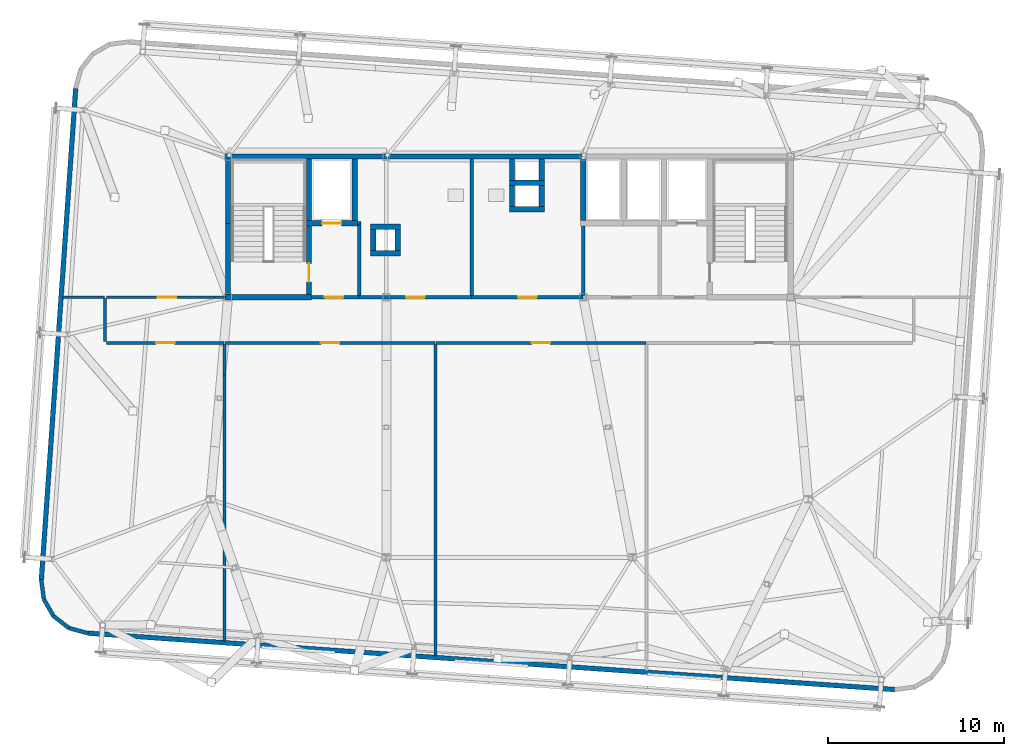
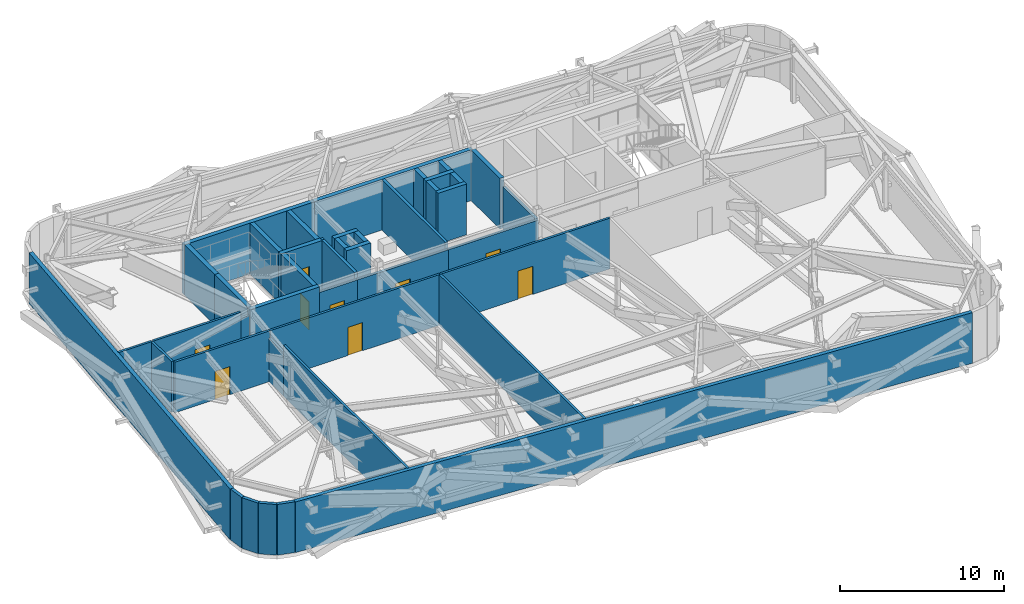
# One storey, part 21 of 24: 43 walls, 9 doors, 9 openings.
"""IFC4 building model written with IfcOpenShell, lengths in metres."""

import ifcopenshell
import ifcopenshell.guid

model = None  # the IFC model being written
_history = None  # IfcOwnerHistory: only IFC2X3 demands one
_inside = {}  # id of a spatial element -> (the spatial element, [elements in it])
_under = {}  # id of a project, library or spatial element -> (it, [spatial elements below it])
_declared = {}  # id of a project -> (the project, [libraries it declares])
_typed = {}  # id of a type object -> (the type object, [elements of that type])
_made_of = {}  # id of a material, layer set ... -> (it, [elements and type objects made of it])


def new_model(schema):
    """Start an empty IFC model of exactly this schema.

    Asked for "IFC4X3", IfcOpenShell would pick the latest addendum, in which some entities
    have other attributes; the version numbers below select the first issue.
    IFC2X3 requires an IfcOwnerHistory on every rooted entity: one is made here for all.
    """
    global model, _history
    if schema == "IFC4X3":
        model = ifcopenshell.file(schema_version=(4, 3, 0, 0))
    else:
        model = ifcopenshell.file(schema=schema)
    _inside.clear()
    _under.clear()
    _declared.clear()
    _typed.clear()
    _made_of.clear()
    _history = None
    if model.schema == "IFC2X3":
        org = make("IfcOrganization", Name="unknown")
        user = make(
            "IfcPersonAndOrganization",
            ThePerson=make("IfcPerson", FamilyName="unknown"),
            TheOrganization=org,
        )
        app = make(
            "IfcApplication",
            ApplicationDeveloper=org,
            Version="unknown",
            ApplicationFullName="unknown",
            ApplicationIdentifier="unknown",
        )
        _history = make(
            "IfcOwnerHistory",
            OwningUser=user,
            OwningApplication=app,
            ChangeAction="ADDED",
            CreationDate=0,
        )
    return model


def make(cls, **values):
    """One entity of the class cls with the attributes given. An attribute that is None is left unset."""
    return model.create_entity(
        cls, **{name: value for name, value in values.items() if value is not None}
    )


def rooted(cls, **values):
    """An entity with a GlobalId (a new one), such as an element, a storey or a relation."""
    return make(cls, GlobalId=ifcopenshell.guid.new(), OwnerHistory=_history, **values)


def si_unit(unit_type, name, prefix=None):
    """IfcSIUnit, for example si_unit("LENGTHUNIT", "METRE", prefix="MILLI")."""
    return make("IfcSIUnit", UnitType=unit_type, Prefix=prefix, Name=name)


def assignment(units):
    """IfcUnitAssignment: the units of a project."""
    return None if units is None else make("IfcUnitAssignment", Units=units)


def point(xyz):
    """IfcCartesianPoint."""
    return None if xyz is None else make("IfcCartesianPoint", Coordinates=xyz)


def direction(xyz):
    """IfcDirection."""
    return None if xyz is None else make("IfcDirection", DirectionRatios=xyz)


def frame(location, z_axis=None, x_axis=None):
    """IfcAxis2Placement3D, a coordinate frame: its origin and axes. An axis left out is left unset."""
    return make(
        "IfcAxis2Placement3D",
        Location=point(location),
        Axis=direction(z_axis),
        RefDirection=direction(x_axis),
    )


def frame_2d(location, x_axis=None):
    """IfcAxis2Placement2D, a coordinate frame in the plane: its origin and x axis."""
    return make(
        "IfcAxis2Placement2D", Location=point(location), RefDirection=direction(x_axis)
    )


def origin():
    """The frame at (0, 0, 0) with its axes left unset."""
    return frame((0.0, 0.0, 0.0))


def place(relative_to, where):
    """IfcLocalPlacement: puts the frame where relative to a parent placement (None: the world)."""
    return make(
        "IfcLocalPlacement", PlacementRelTo=relative_to, RelativePlacement=where
    )


def context(
    kind, dimensions, precision=None, world=None, true_north=None, identifier=None
):
    """IfcGeometricRepresentationContext, for example the 3D "Model" context."""
    return make(
        "IfcGeometricRepresentationContext",
        ContextIdentifier=identifier,
        ContextType=kind,
        CoordinateSpaceDimension=dimensions,
        Precision=precision,
        WorldCoordinateSystem=world,
        TrueNorth=true_north,
    )


def subcontext(parent, identifier, kind, view, scale=None):
    """IfcGeometricRepresentationSubContext, for example "Body" below "Model"."""
    return make(
        "IfcGeometricRepresentationSubContext",
        ContextIdentifier=identifier,
        ContextType=kind,
        ParentContext=parent,
        TargetScale=scale,
        TargetView=view,
    )


def project(units=None, contexts=None):
    """IfcProject with its units and contexts."""
    return rooted(
        "IfcProject",
        Name="project",
        RepresentationContexts=contexts,
        UnitsInContext=assignment(units),
    )


def spatial(cls, under=None, at=None, **own):
    """A site, building, storey or space (cls), placed at a placement, below another one or the project."""
    s = rooted(cls, ObjectPlacement=at, **own)
    if under is not None:
        _under.setdefault(under.id(), (under, []))[1].append(s)
    return s


def profile(cls, at=None, kind="AREA", **sizes):
    """A parametric profile (cls). Its sizes go by their IFC names, for example OverallWidth=200.0."""
    return make(cls, ProfileType=kind, Position=at, **sizes)


def rectangle(**sizes):
    """IfcRectangleProfileDef."""
    return profile("IfcRectangleProfileDef", **sizes)


def extrude(swept, where, along, depth):
    """IfcExtrudedAreaSolid: the profile swept, set in the frame where, extruded along a direction by depth."""
    return make(
        "IfcExtrudedAreaSolid",
        SweptArea=swept,
        Position=where,
        ExtrudedDirection=direction(along),
        Depth=depth,
    )


def shape(context_of_items, identifier, shape_type, items):
    """IfcShapeRepresentation: the items that make up one representation, for example the "Body"."""
    return make(
        "IfcShapeRepresentation",
        ContextOfItems=context_of_items,
        RepresentationIdentifier=identifier,
        RepresentationType=shape_type,
        Items=items,
    )


def source(mapping_origin, context_of_items, identifier, shape_type, items):
    """IfcRepresentationMap: a shape defined once, which mapped items show again and again."""
    return make(
        "IfcRepresentationMap",
        MappingOrigin=mapping_origin,
        MappedRepresentation=shape(context_of_items, identifier, shape_type, items),
    )


def transform(
    local_origin,
    x_axis=None,
    y_axis=None,
    z_axis=None,
    scale=None,
    scale2=None,
    scale3=None,
    uniform=True,
):
    """IfcCartesianTransformationOperator3D, or its non-uniform kind. x_axis, y_axis, z_axis: its Axis1, 2, 3."""
    if uniform:
        return make(
            "IfcCartesianTransformationOperator3D",
            Axis1=direction(x_axis),
            Axis2=direction(y_axis),
            LocalOrigin=point(local_origin),
            Scale=scale,
            Axis3=direction(z_axis),
        )
    return make(
        "IfcCartesianTransformationOperator3DnonUniform",
        Axis1=direction(x_axis),
        Axis2=direction(y_axis),
        LocalOrigin=point(local_origin),
        Scale=scale,
        Axis3=direction(z_axis),
        Scale2=scale2,
        Scale3=scale3,
    )


def mapped(mapping_source, mapping_target):
    """IfcMappedItem: shows the shape of a source again, moved by a transform."""
    return make(
        "IfcMappedItem", MappingSource=mapping_source, MappingTarget=mapping_target
    )


def material(Name=None, Category=None):
    """IfcMaterial."""
    return make("IfcMaterial", Name=Name, Category=Category)


def layer(
    of_material, thickness, ventilated=None, Name=None, Category=None, Priority=None
):
    """IfcMaterialLayer: one layer of a wall or slab, of a material (None: an air gap)."""
    return make(
        "IfcMaterialLayer",
        Material=of_material,
        LayerThickness=thickness,
        IsVentilated=ventilated,
        Name=Name,
        Category=Category,
        Priority=Priority,
    )


def layer_set(layers, Name=None):
    """IfcMaterialLayerSet."""
    return make("IfcMaterialLayerSet", MaterialLayers=layers, LayerSetName=Name)


def made_of(thing, what):
    """Note that an element or type object is made of a material, layer set ...; save() writes the relation."""
    if what is not None:
        _made_of.setdefault(what.id(), (what, []))[1].append(thing)
    return thing


def type_object(cls, material=None, **own):
    """A type object (cls), such as IfcWallType, which elements share."""
    return made_of(rooted(cls, **own), material)


def element(
    cls,
    number,
    at=None,
    inside=None,
    cuts=None,
    type_object=None,
    material=None,
    context=None,
    identifier="Body",
    shape_type=None,
    held_by="IfcProductDefinitionShape",
    body=None,
    shapes=None,
    **own,
):
    """One element of the class cls, such as IfcWall. Its Tag is "e" and its number.

    at: its placement. inside: the storey or other place that contains it. cuts: it is an
    opening in that element (IfcRelVoidsElement). A single representation is given by context,
    identifier, shape_type and body (its items); several are given by shapes. held_by: the class
    of the entity that holds the representations. save() writes the other relations.
    """
    e = rooted(cls, Tag="e%d" % number, ObjectPlacement=at, **own)
    if body is not None:
        shapes = [shape(context, identifier, shape_type, body)]
    if shapes is not None:
        e.Representation = make(held_by, Representations=shapes)
    if inside is not None:
        _inside.setdefault(inside.id(), (inside, []))[1].append(e)
    if cuts is not None:
        rooted(
            "IfcRelVoidsElement", RelatingBuildingElement=cuts, RelatedOpeningElement=e
        )
    if type_object is not None:
        _typed.setdefault(type_object.id(), (type_object, []))[1].append(e)
    return made_of(e, material)


def fill(opening, filler):
    """IfcRelFillsElement: the door or window that sits in an opening."""
    return rooted(
        "IfcRelFillsElement",
        RelatingOpeningElement=opening,
        RelatedBuildingElement=filler,
    )


def aggregate(whole, parts):
    """IfcRelAggregates: a whole, such as a stair, and the parts it consists of."""
    return rooted("IfcRelAggregates", RelatingObject=whole, RelatedObjects=parts)


def save(model, path):
    """Write the relations noted so far, then the file.

    IfcRelAggregates (storeys below a building ...), IfcRelContainedInSpatialStructure (elements
    in a storey), IfcRelDefinesByType, IfcRelAssociatesMaterial and IfcRelDeclares: one each for
    every whole, place, type object, material and project.
    """
    for whole, parts in _under.values():
        aggregate(whole, parts)
    for where, things in _inside.values():
        rooted(
            "IfcRelContainedInSpatialStructure",
            RelatedElements=things,
            RelatingStructure=where,
        )
    for kind, things in _typed.values():
        rooted("IfcRelDefinesByType", RelatedObjects=things, RelatingType=kind)
    for what, things in _made_of.values():
        rooted("IfcRelAssociatesMaterial", RelatedObjects=things, RelatingMaterial=what)
    for by, libraries in _declared.values():
        rooted("IfcRelDeclares", RelatingContext=by, RelatedDefinitions=libraries)
    model.write(path)


model = new_model("IFC4")

# Units and contexts
model_context = context("Model", 3, precision=1e-05, world=origin(), true_north=direction((0.0, 1.0)))
body_context = subcontext(model_context, "Body", "Model", "MODEL_VIEW")
ifc_project = project(units=[si_unit("LENGTHUNIT", "METRE"), si_unit("AREAUNIT", "SQUARE_METRE"), si_unit("VOLUMEUNIT", "CUBIC_METRE"), si_unit("PLANEANGLEUNIT", "RADIAN"), si_unit("MASSUNIT", "GRAM", prefix="KILO")], contexts=[model_context])

# Site, building, storey
site_placement = place(None, origin())
site = spatial("IfcSite", under=ifc_project, at=site_placement, CompositionType="ELEMENT")
building_placement = place(site_placement, origin())
building = spatial("IfcBuilding", under=site, at=building_placement, Name="Taldren Reach Tower", CompositionType="ELEMENT")
storey_placement = place(building_placement, frame((0.0, 0.0, 164.5)))
storey = spatial("IfcBuildingStorey", under=building, at=storey_placement, Name="L50", CompositionType="ELEMENT", Elevation=164.5)

# Walls
ifc_material_1 = material(Name="Pale Champagne Anodised Aluminium Cladding", Category="aluminium")
ifc_layer_1 = layer(ifc_material_1, 0.04, Name="Pale Champagne Anodised Aluminium Cladding", Category="aluminium")
ifc_material_2 = material(Name="Mineral Wool Acoustic Insulation", Category="insulation")
ifc_layer_2 = layer(ifc_material_2, 0.06, Name="Mineral Wool Acoustic Insulation", Category="insulation")
ifc_material_3 = material(Name="Steel Gr 350 (C350L0)", Category="steel")
ifc_layer_3 = layer(ifc_material_3, 0.12, Name="Steel Gr 350 (C350L0)", Category="steel")
ifc_layer_set_1 = layer_set([ifc_layer_1, ifc_layer_2, ifc_layer_3], Name="Pale Champagne Aluminium Cladding and Steel Gr 350 Stud Framing")
wall_type_1 = type_object("IfcWallType", Name="EW-CRN-220", PredefinedType="SOLIDWALL", material=ifc_layer_set_1)
shared_shape_1 = source(origin(), body_context, "Body", "SweptSolid", [
    extrude(rectangle(XDim=1.115966796875, YDim=0.219970703125, at=frame_2d((0.55810546875, 0.0))), origin(), (0.0, 0.0, 1.0), 3.780029296875),
])
for number, where, z_axis, x_axis, name in (
    (1, (8.37646484375, 7.93798828125, 0.0), (0.0, 0.0, 1.0), (0.126242535829, -0.991999406324, 0.0), "Rounded-corner pale-metal facade wall L50-SW1"),
    (2, (8.517333984375, 6.8310546875, 0.0), (0.0, 0.0, 1.0), (0.496138938357, -0.868243142124, 0.0), "Rounded-corner pale-metal facade wall L50-SW2"),
    (3, (9.071044921875, 5.862060546875, 0.0), (0.0, 0.0, 1.0), (0.790716874741, -0.612182018684, 0.0), "Rounded-corner pale-metal facade wall L50-SW3"),
    (4, (9.953369140625, 5.178955078125, 0.0), (0.0, 0.0, 1.0), (0.964804199372, -0.262969307856, 0.0), "Rounded-corner pale-metal facade wall L50-SW4"),
):
    element("IfcWall", number, at=place(storey_placement, frame(where, z_axis=z_axis, x_axis=x_axis)), inside=storey, type_object=wall_type_1, Name=name, PredefinedType="SOLIDWALL", context=body_context, shape_type="MappedRepresentation", body=[
        mapped(shared_shape_1, transform((0.0, 0.0, 0.0), scale=1.0)),
    ])
ifc_material_4 = material(Name="Perforated Anodised Aluminium Acoustic Liner", Category="aluminium")
ifc_layer_4 = layer(ifc_material_4, 0.04, Name="Perforated Anodised Aluminium Acoustic Liner", Category="aluminium")
ifc_layer_5 = layer(ifc_material_2, 0.08, Name="Mineral Wool Acoustic Insulation", Category="insulation")
ifc_layer_6 = layer(ifc_material_3, 0.15, Name="Steel Gr 350 (C350L0)", Category="steel")
ifc_layer_set_2 = layer_set([ifc_layer_4, ifc_layer_5, ifc_layer_6], Name="Perforated Anodised Aluminium Liner and Steel Gr 350 Stud Framing")
wall_type_2 = type_object("IfcWallType", Name="EW-PLT-270", PredefinedType="SOLIDWALL", material=ifc_layer_set_2)
shared_shape_2 = source(origin(), body_context, "Body", "SweptSolid", [
    extrude(rectangle(XDim=46.0, YDim=0.27001953125, at=frame_2d((23.0, 0.0))), origin(), (0.0, 0.0, 1.0), 3.780029296875),
])
wall_1_placement = place(storey_placement, frame((11.030029296875, 4.885498046875, 0.0), z_axis=(0.0, 0.0, 1.0), x_axis=(0.997564136604, -0.06975523895, 0.0)))
element("IfcWall", 5, at=wall_1_placement, inside=storey, type_object=wall_type_2, Name="Plant floor perimeter enclosure wall L50-S", PredefinedType="SOLIDWALL", context=body_context, shape_type="MappedRepresentation", body=[
    mapped(shared_shape_2, transform((0.0, 0.0, 0.0), scale=1.0)),
])
shared_shape_3 = source(origin(), body_context, "Body", "SweptSolid", [
    extrude(rectangle(XDim=28.0, YDim=0.27001953125, at=frame_2d((14.0, 0.0))), origin(), (0.0, 0.0, 1.0), 3.780029296875),
])
wall_2_placement = place(storey_placement, frame((10.32958984375, 35.869873046875, 0.0), z_axis=(0.0, 0.0, 1.0), x_axis=(-0.069754247024, -0.997564205965, 0.0)))
element("IfcWall", 6, at=wall_2_placement, inside=storey, type_object=wall_type_2, Name="Plant floor perimeter enclosure wall L50-W", PredefinedType="SOLIDWALL", context=body_context, shape_type="MappedRepresentation", body=[
    mapped(shared_shape_3, transform((0.0, 0.0, 0.0), scale=1.0)),
])

# Wall, opening, door
ifc_material_5 = material(Name="Concrete S50 (50 MPa)", Category="concrete")
ifc_layer_7 = layer(ifc_material_5, 0.199951171875)
ifc_layer_set_3 = layer_set([ifc_layer_7], Name="Concrete S50 (50 MPa)")
wall_type_3 = type_object("IfcWallType", Name="IW-CORE-200", PredefinedType="SOLIDWALL", material=ifc_layer_set_3)
shared_shape_4 = source(origin(), body_context, "Body", "SweptSolid", [
    extrude(rectangle(XDim=6.400146484375, YDim=0.199951171875, at=frame_2d((3.2001953125, 0.0))), origin(), (0.0, 0.0, 1.0), 3.320068359375),
])
wall_3_placement = place(storey_placement, frame((32.85009765625, 24.0, 0.0), z_axis=(0.0, 0.0, 1.0), x_axis=(-1.0, 0.0, 0.0)))
wall_3 = element("IfcWall", 7, at=wall_3_placement, inside=storey, type_object=wall_type_3, Name="Rear Core Shear Wall W-INT-L50-026", PredefinedType="SOLIDWALL", context=body_context, shape_type="MappedRepresentation", body=[
    mapped(shared_shape_4, transform((0.0, 0.0, 0.0), scale=1.0)),
])
shared_shape_5 = source(origin(), body_context, "Body", "SweptSolid", [
    extrude(rectangle(XDim=1.050048828125, YDim=2.10009765625, at=frame_2d((0.52490234375, 1.050048828125))), frame((0.0, 0.10986328125, 0.0), z_axis=(0.0, -1.0, 0.0), x_axis=(1.0, 0.0, 0.0)), (0.0, 0.0, 1.0), 0.219970703125),
])
opening_1_placement = place(wall_3_placement, frame((2.675048828125, 0.0, 0.0)))
opening_1 = element("IfcOpeningElement", 8, at=opening_1_placement, cuts=wall_3, Name="Opening DF-105", PredefinedType="OPENING", context=body_context, shape_type="MappedRepresentation", body=[
    mapped(shared_shape_5, transform((0.0, 0.0, 0.0), scale=1.0)),
])
ifc_material_6 = material(Name="Fire-Rated Care and Stair Exit Door")
door_type_1 = type_object("IfcDoorType", Name="ID-FIRE-105", OperationType="NOTDEFINED", PredefinedType="DOOR", material=ifc_material_6)
shared_shape_6 = source(origin(), body_context, "Body", "SweptSolid", [
    extrude(rectangle(XDim=1.050048828125, YDim=2.10009765625, at=frame_2d((0.52490234375, 1.050048828125))), frame((0.0, 0.02490234375, 0.0), z_axis=(0.0, -1.0, 0.0), x_axis=(1.0, 0.0, 0.0)), (0.0, 0.0, 1.0), 0.050048828125),
])
door_1_placement = place(opening_1_placement, frame((1.050048828125, 0.0, 0.0), z_axis=(0.0, 0.0, 1.0), x_axis=(-1.0, 0.0, 0.0)))
door_1 = element("IfcDoor", 9, at=door_1_placement, inside=storey, type_object=door_type_1, Name="Interior Door DR-L50-005", OperationType="SINGLE_SWING_LEFT", OverallHeight=2.10009765625, OverallWidth=1.050048828125, PredefinedType="DOOR", context=body_context, shape_type="MappedRepresentation", body=[
    mapped(shared_shape_6, transform((0.0, 0.0, 0.0), scale=1.0)),
])
fill(opening_1, door_1)

# Wall
ifc_material_7 = material(Name="Fire-Rated Acoustic Plasterboard Stud Wall", Category="gypsum")
ifc_layer_8 = layer(ifc_material_7, 0.159912109375)
ifc_layer_set_4 = layer_set([ifc_layer_8], Name="Fire-Rated Acoustic Plasterboard Stud Wall")
wall_type_4 = type_object("IfcWallType", Name="IW-FIRE-160", PredefinedType="PARTITIONING", material=ifc_layer_set_4)
shared_shape_7 = source(origin(), body_context, "Body", "SweptSolid", [
    extrude(rectangle(XDim=2.43994140625, YDim=0.159912109375, at=frame_2d((1.219970703125, 0.0))), origin(), (0.0, 0.0, 1.0), 3.780029296875),
])
wall_4_placement = place(storey_placement, frame((12.0, 21.47998046875, 0.0), z_axis=(0.0, 0.0, 1.0), x_axis=(0.0, 1.0, 0.0)))
element("IfcWall", 10, at=wall_4_placement, inside=storey, type_object=wall_type_4, Name="Interior Partition Wall W-INT-L50-037", PredefinedType="PARTITIONING", context=body_context, shape_type="MappedRepresentation", body=[
    mapped(shared_shape_7, transform((0.0, 0.0, 0.0), scale=1.0)),
])

# Wall, opening, door
shared_shape_8 = source(origin(), body_context, "Body", "SweptSolid", [
    extrude(rectangle(XDim=11.95947265625, YDim=0.159912109375, at=frame_2d((5.979736328125, 0.0))), origin(), (0.0, 0.0, 1.0), 3.780029296875),
])
wall_5_placement = place(storey_placement, frame((30.77978515625, 21.39990234375, 0.0), z_axis=(0.0, 0.0, 1.0), x_axis=(-1.0, 0.0, 0.0)))
wall_5 = element("IfcWall", 11, at=wall_5_placement, inside=storey, type_object=wall_type_4, Name="Interior Partition Wall W-INT-L50-038", PredefinedType="PARTITIONING", context=body_context, shape_type="MappedRepresentation", body=[
    mapped(shared_shape_8, transform((0.0, 0.0, 0.0), scale=1.0)),
])
shared_shape_9 = source(origin(), body_context, "Body", "SweptSolid", [
    extrude(rectangle(XDim=1.050048828125, YDim=2.10009765625, at=frame_2d((0.52490234375, 1.050048828125))), frame((0.0, 0.08984375, 0.0), z_axis=(0.0, -1.0, 0.0), x_axis=(1.0, 0.0, 0.0)), (0.0, 0.0, 1.0), 0.179931640625),
])
opening_2_placement = place(wall_5_placement, frame((5.454833984375, 0.0, 0.0)))
opening_2 = element("IfcOpeningElement", 12, at=opening_2_placement, cuts=wall_5, Name="Opening DF-105", PredefinedType="OPENING", context=body_context, shape_type="MappedRepresentation", body=[
    mapped(shared_shape_9, transform((0.0, 0.0, 0.0), scale=1.0)),
])
door_2_placement = place(opening_2_placement, origin())
door_2 = element("IfcDoor", 13, at=door_2_placement, inside=storey, type_object=door_type_1, Name="Interior Door DR-L50-011", OperationType="SINGLE_SWING_RIGHT", OverallHeight=2.10009765625, OverallWidth=1.050048828125, PredefinedType="DOOR", context=body_context, shape_type="MappedRepresentation", body=[
    mapped(shared_shape_6, transform((0.0, 0.0, 0.0), scale=1.0)),
])
fill(opening_2, door_2)

wall_6_placement = place(storey_placement, frame((42.77978515625, 21.39990234375, 0.0), z_axis=(0.0, 0.0, 1.0), x_axis=(-1.0, 0.0, 0.0)))
wall_6 = element("IfcWall", 14, at=wall_6_placement, inside=storey, type_object=wall_type_4, Name="Interior Partition Wall W-INT-L50-039", PredefinedType="PARTITIONING", context=body_context, shape_type="MappedRepresentation", body=[
    mapped(shared_shape_8, transform((0.0, 0.0, 0.0), scale=1.0)),
])
opening_3_placement = place(wall_6_placement, frame((5.454833984375, 0.0, 0.0)))
opening_3 = element("IfcOpeningElement", 15, at=opening_3_placement, cuts=wall_6, Name="Opening DF-105", PredefinedType="OPENING", context=body_context, shape_type="MappedRepresentation", body=[
    mapped(shared_shape_9, transform((0.0, 0.0, 0.0), scale=1.0)),
])
door_3_placement = place(opening_3_placement, origin())
door_3 = element("IfcDoor", 16, at=door_3_placement, inside=storey, type_object=door_type_1, Name="Interior Door DR-L50-012", OperationType="SINGLE_SWING_LEFT", OverallHeight=2.10009765625, OverallWidth=1.050048828125, PredefinedType="DOOR", context=body_context, shape_type="MappedRepresentation", body=[
    mapped(shared_shape_6, transform((0.0, 0.0, 0.0), scale=1.0)),
])
fill(opening_3, door_3)

# Walls
ifc_material_8 = material(Name="Concrete S65 (65 MPa)", Category="concrete")
ifc_layer_9 = layer(ifc_material_8, 0.300048828125)
ifc_layer_set_5 = layer_set([ifc_layer_9], Name="Concrete S65 (65 MPa)")
wall_type_5 = type_object("IfcWallType", Name="IW-CORE-300", PredefinedType="SHEAR", material=ifc_layer_set_5)
shared_shape_10 = source(origin(), body_context, "Body", "SweptSolid", [
    extrude(rectangle(XDim=9.14990234375, YDim=0.300048828125, at=frame_2d((4.574951171875, 0.0))), origin(), (0.0, 0.0, 1.0), 3.780029296875),
])
wall_7_placement = place(storey_placement, frame((18.85009765625, 32.0, 0.0), z_axis=(0.0, 0.0, 1.0), x_axis=(1.0, 0.0, 0.0)))
element("IfcWall", 17, at=wall_7_placement, inside=storey, type_object=wall_type_5, Name="Rear Core Shear Wall W-CORE-L50-NORTH1", PredefinedType="SHEAR", context=body_context, shape_type="MappedRepresentation", body=[
    mapped(shared_shape_10, transform((0.0, 0.0, 0.0), scale=1.0)),
])
shared_shape_11 = source(origin(), body_context, "Body", "SweptSolid", [
    extrude(rectangle(XDim=11.199951171875, YDim=0.300048828125, at=frame_2d((5.60009765625, 0.0))), origin(), (0.0, 0.0, 1.0), 3.780029296875),
])
wall_8_placement = place(storey_placement, frame((28.0, 32.0, 0.0), z_axis=(0.0, 0.0, 1.0), x_axis=(1.0, 0.0, 0.0)))
element("IfcWall", 18, at=wall_8_placement, inside=storey, type_object=wall_type_5, Name="Rear Core Shear Wall W-CORE-L50-NORTH2", PredefinedType="SHEAR", context=body_context, shape_type="MappedRepresentation", body=[
    mapped(shared_shape_11, transform((0.0, 0.0, 0.0), scale=1.0)),
])
shared_shape_12 = source(origin(), body_context, "Body", "SweptSolid", [
    extrude(rectangle(XDim=4.050048828125, YDim=0.300048828125, at=frame_2d((2.02490234375, 0.0))), origin(), (0.0, 0.0, 1.0), 3.780029296875),
])
wall_9_placement = place(storey_placement, frame((19.0, 24.14990234375, 0.0), z_axis=(0.0, 0.0, 1.0), x_axis=(0.0, 1.0, 0.0)))
element("IfcWall", 19, at=wall_9_placement, inside=storey, type_object=wall_type_5, Name="Rear Core Shear Wall W-CORE-L50-WEST1", PredefinedType="SHEAR", context=body_context, shape_type="MappedRepresentation", body=[
    mapped(shared_shape_12, transform((0.0, 0.0, 0.0), scale=1.0)),
])
shared_shape_13 = source(origin(), body_context, "Body", "SweptSolid", [
    extrude(rectangle(XDim=3.650146484375, YDim=0.300048828125, at=frame_2d((1.8251953125, 0.0))), origin(), (0.0, 0.0, 1.0), 3.780029296875),
])
wall_10_placement = place(storey_placement, frame((19.0, 28.199951171875, 0.0), z_axis=(0.0, 0.0, 1.0), x_axis=(0.0, 1.0, 0.0)))
element("IfcWall", 20, at=wall_10_placement, inside=storey, type_object=wall_type_5, Name="Rear Core Shear Wall W-CORE-L50-WEST2", PredefinedType="SHEAR", context=body_context, shape_type="MappedRepresentation", body=[
    mapped(shared_shape_13, transform((0.0, 0.0, 0.0), scale=1.0)),
])
shared_shape_14 = source(origin(), body_context, "Body", "SweptSolid", [
    extrude(rectangle(XDim=3.5, YDim=0.300048828125, at=frame_2d((1.75, 0.0))), origin(), (0.0, 0.0, 1.0), 3.780029296875),
])
for number, where, z_axis, x_axis, name in (
    (21, (23.60009765625, 28.35009765625, 0.0), (0.0, 0.0, 1.0), (0.0, 1.0, 0.0), "Rear Core Shear Wall W-INT-L50-001"),
    (22, (26.199951171875, 28.35009765625, 0.0), (0.0, 0.0, 1.0), (0.0, 1.0, 0.0), "Rear Core Shear Wall W-INT-L50-005"),
    (23, (39.199951171875, 31.85009765625, 0.0), (0.0, 0.0, 1.0), (0.0, -1.0, 0.0), "Rear Core Shear Wall W-INT-L50-027"),
):
    element("IfcWall", number, at=place(storey_placement, frame(where, z_axis=z_axis, x_axis=x_axis)), inside=storey, type_object=wall_type_5, Name=name, PredefinedType="SHEAR", context=body_context, shape_type="MappedRepresentation", body=[
        mapped(shared_shape_14, transform((0.0, 0.0, 0.0), scale=1.0)),
    ])

# Wall, opening, door
shared_shape_15 = source(origin(), body_context, "Body", "SweptSolid", [
    extrude(rectangle(XDim=3.900146484375, YDim=0.300048828125, at=frame_2d((1.9501953125, 0.0))), origin(), (0.0, 0.0, 1.0), 3.780029296875),
])
wall_11_placement = place(storey_placement, frame((23.60009765625, 24.14990234375, 0.0), z_axis=(0.0, 0.0, 1.0), x_axis=(0.0, 1.0, 0.0)))
wall_11 = element("IfcWall", 24, at=wall_11_placement, inside=storey, type_object=wall_type_5, Name="Rear Core Shear Wall W-INT-L50-002", PredefinedType="SHEAR", context=body_context, shape_type="MappedRepresentation", body=[
    mapped(shared_shape_15, transform((0.0, 0.0, 0.0), scale=1.0)),
])
shared_shape_16 = source(origin(), body_context, "Body", "SweptSolid", [
    extrude(rectangle(XDim=1.050048828125, YDim=2.10009765625, at=frame_2d((0.52490234375, 1.050048828125))), frame((0.0, 0.16015625, 0.0), z_axis=(0.0, -1.0, 0.0), x_axis=(1.0, 0.0, 0.0)), (0.0, 0.0, 1.0), 0.320068359375),
])
opening_4_placement = place(wall_11_placement, frame((0.72509765625, 0.0, 0.0)))
opening_4 = element("IfcOpeningElement", 25, at=opening_4_placement, cuts=wall_11, Name="Opening DF-105", PredefinedType="OPENING", context=body_context, shape_type="MappedRepresentation", body=[
    mapped(shared_shape_16, transform((0.0, 0.0, 0.0), scale=1.0)),
])
door_4_placement = place(opening_4_placement, origin())
door_4 = element("IfcDoor", 26, at=door_4_placement, inside=storey, type_object=door_type_1, Name="Fire Exit Stair Door DR-L50-001", OperationType="SINGLE_SWING_LEFT", OverallHeight=2.10009765625, OverallWidth=1.050048828125, PredefinedType="DOOR", context=body_context, shape_type="MappedRepresentation", body=[
    mapped(shared_shape_6, transform((0.0, 0.0, 0.0), scale=1.0)),
])
fill(opening_4, door_4)

# Wall
shared_shape_17 = source(origin(), body_context, "Body", "SweptSolid", [
    extrude(rectangle(XDim=4.89990234375, YDim=0.300048828125, at=frame_2d((2.449951171875, 0.0))), origin(), (0.0, 0.0, 1.0), 3.780029296875),
])
wall_12_placement = place(storey_placement, frame((18.85009765625, 24.0, 0.0), z_axis=(0.0, 0.0, 1.0), x_axis=(1.0, 0.0, 0.0)))
element("IfcWall", 27, at=wall_12_placement, inside=storey, type_object=wall_type_5, Name="Rear Core Shear Wall W-INT-L50-003", PredefinedType="SHEAR", context=body_context, shape_type="MappedRepresentation", body=[
    mapped(shared_shape_17, transform((0.0, 0.0, 0.0), scale=1.0)),
])

# Wall, opening, door
shared_shape_18 = source(origin(), body_context, "Body", "SweptSolid", [
    extrude(rectangle(XDim=2.900146484375, YDim=0.300048828125, at=frame_2d((1.4501953125, 0.0))), origin(), (0.0, 0.0, 1.0), 3.780029296875),
])
wall_13_placement = place(storey_placement, frame((23.449951171875, 28.199951171875, 0.0), z_axis=(0.0, 0.0, 1.0), x_axis=(1.0, 0.0, 0.0)))
wall_13 = element("IfcWall", 28, at=wall_13_placement, inside=storey, type_object=wall_type_5, Name="Rear Core Shear Wall W-INT-L50-004", PredefinedType="SHEAR", context=body_context, shape_type="MappedRepresentation", body=[
    mapped(shared_shape_18, transform((0.0, 0.0, 0.0), scale=1.0)),
])
shared_shape_19 = source(origin(), body_context, "Body", "SweptSolid", [
    extrude(rectangle(XDim=1.10009765625, YDim=2.14990234375, at=frame_2d((0.550048828125, 1.074951171875))), frame((0.0, 0.16015625, 0.0), z_axis=(0.0, -1.0, 0.0), x_axis=(1.0, 0.0, 0.0)), (0.0, 0.0, 1.0), 0.320068359375),
])
opening_5_placement = place(wall_13_placement, frame((0.89990234375, 0.0, 0.0)))
opening_5 = element("IfcOpeningElement", 29, at=opening_5_placement, cuts=wall_13, Name="Opening LD-FL1", PredefinedType="OPENING", context=body_context, shape_type="MappedRepresentation", body=[
    mapped(shared_shape_19, transform((0.0, 0.0, 0.0), scale=1.0)),
])
ifc_material_9 = material(Name="Stainless Steel Gr 316 Emergency Lift Landing Door", Category="steel")
door_type_2 = type_object("IfcDoorType", Name="LD-EMG-110", OperationType="SLIDING_TO_LEFT", PredefinedType="DOOR", material=ifc_material_9)
shared_shape_20 = source(origin(), body_context, "Body", "SweptSolid", [
    extrude(rectangle(XDim=1.10009765625, YDim=2.14990234375, at=frame_2d((0.550048828125, 1.074951171875))), frame((0.0, 0.02490234375, 0.0), z_axis=(0.0, -1.0, 0.0), x_axis=(1.0, 0.0, 0.0)), (0.0, 0.0, 1.0), 0.050048828125),
])
door_5_placement = place(opening_5_placement, origin())
door_5 = element("IfcDoor", 30, at=door_5_placement, inside=storey, type_object=door_type_2, Name="Lift Landing Door LD-FL1-L50", OperationType="SLIDING_TO_LEFT", OverallHeight=2.14990234375, OverallWidth=1.10009765625, PredefinedType="DOOR", context=body_context, shape_type="MappedRepresentation", body=[
    mapped(shared_shape_20, transform((0.0, 0.0, 0.0), scale=1.0)),
])
fill(opening_5, door_5)

# Wall
shared_shape_21 = source(origin(), body_context, "Body", "SweptSolid", [
    extrude(rectangle(XDim=4.0, YDim=0.199951171875, at=frame_2d((2.0, 0.0))), origin(), (0.0, 0.0, 1.0), 3.780029296875),
])
wall_14_placement = place(storey_placement, frame((26.449951171875, 24.10009765625, 0.0), z_axis=(0.0, 0.0, 1.0), x_axis=(0.0, 1.0, 0.0)))
element("IfcWall", 31, at=wall_14_placement, inside=storey, type_object=wall_type_3, Name="Rear Core Shear Wall W-INT-L50-006", PredefinedType="SOLIDWALL", context=body_context, shape_type="MappedRepresentation", body=[
    mapped(shared_shape_21, transform((0.0, 0.0, 0.0), scale=1.0)),
])

# Wall, opening, door
shared_shape_22 = source(origin(), body_context, "Body", "SweptSolid", [
    extrude(rectangle(XDim=2.699951171875, YDim=0.199951171875, at=frame_2d((1.35009765625, 0.0))), origin(), (0.0, 0.0, 1.0), 3.320068359375),
])
wall_15_placement = place(storey_placement, frame((23.75, 24.0, 0.0), z_axis=(0.0, 0.0, 1.0), x_axis=(1.0, 0.0, 0.0)))
wall_15 = element("IfcWall", 32, at=wall_15_placement, inside=storey, type_object=wall_type_3, Name="Rear Core Shear Wall W-INT-L50-007", PredefinedType="SOLIDWALL", context=body_context, shape_type="MappedRepresentation", body=[
    mapped(shared_shape_22, transform((0.0, 0.0, 0.0), scale=1.0)),
])
opening_6_placement = place(wall_15_placement, frame((0.75, 0.0, 0.0)))
opening_6 = element("IfcOpeningElement", 33, at=opening_6_placement, cuts=wall_15, Name="Opening DF-105", PredefinedType="OPENING", context=body_context, shape_type="MappedRepresentation", body=[
    mapped(shared_shape_5, transform((0.0, 0.0, 0.0), scale=1.0)),
])
door_6_placement = place(opening_6_placement, origin())
door_6 = element("IfcDoor", 34, at=door_6_placement, inside=storey, type_object=door_type_1, Name="Interior Door DR-L50-002", OperationType="SINGLE_SWING_LEFT", OverallHeight=2.10009765625, OverallWidth=1.050048828125, PredefinedType="DOOR", context=body_context, shape_type="MappedRepresentation", body=[
    mapped(shared_shape_6, transform((0.0, 0.0, 0.0), scale=1.0)),
])
fill(opening_6, door_6)

# Walls
shared_shape_23 = source(origin(), body_context, "Body", "SweptSolid", [
    extrude(rectangle(XDim=2.0, YDim=0.300048828125, at=frame_2d((1.0, 0.0))), origin(), (0.0, 0.0, 1.0), 3.780029296875),
])
for number, where, z_axis, x_axis, name in (
    (35, (35.0, 30.5, 0.0), (0.0, 0.0, 1.0), (1.0, 0.0, 0.0), "Rear Core Shear Wall W-INT-L50-015"),
    (36, (35.0, 29.0, 0.0), (0.0, 0.0, 1.0), (1.0, 0.0, 0.0), "Rear Core Shear Wall W-INT-L50-018"),
):
    element("IfcWall", number, at=place(storey_placement, frame(where, z_axis=z_axis, x_axis=x_axis)), inside=storey, type_object=wall_type_5, Name=name, PredefinedType="SHEAR", context=body_context, shape_type="MappedRepresentation", body=[
        mapped(shared_shape_23, transform((0.0, 0.0, 0.0), scale=1.0)),
    ])
shared_shape_24 = source(origin(), body_context, "Body", "SweptSolid", [
    extrude(rectangle(XDim=1.2001953125, YDim=0.300048828125, at=frame_2d((0.60009765625, 0.0))), origin(), (0.0, 0.0, 1.0), 3.780029296875),
])
for number, where, z_axis, x_axis, name in (
    (37, (35.14990234375, 31.85009765625, 0.0), (0.0, 0.0, 1.0), (0.0, -1.0, 0.0), "Rear Core Shear Wall W-INT-L50-016"),
    (38, (36.85009765625, 30.64990234375, 0.0), (0.0, 0.0, 1.0), (0.0, 1.0, 0.0), "Rear Core Shear Wall W-INT-L50-017"),
    (39, (35.14990234375, 30.35009765625, 0.0), (0.0, 0.0, 1.0), (0.0, -1.0, 0.0), "Rear Core Shear Wall W-INT-L50-019"),
    (40, (36.85009765625, 29.14990234375, 0.0), (0.0, 0.0, 1.0), (0.0, 1.0, 0.0), "Rear Core Shear Wall W-INT-L50-020"),
    (41, (28.64990234375, 26.64990234375, 0.0), (0.0, 0.0, 1.0), (0.0, 1.0, 0.0), "Rear Core Shear Wall W-INT-L50-021"),
    (42, (27.25, 27.85009765625, 0.0), (0.0, 0.0, 1.0), (0.0, -1.0, 0.0), "Rear Core Shear Wall W-INT-L50-022"),
):
    element("IfcWall", number, at=place(storey_placement, frame(where, z_axis=z_axis, x_axis=x_axis)), inside=storey, type_object=wall_type_5, Name=name, PredefinedType="SHEAR", context=body_context, shape_type="MappedRepresentation", body=[
        mapped(shared_shape_24, transform((0.0, 0.0, 0.0), scale=1.0)),
    ])
shared_shape_25 = source(origin(), body_context, "Body", "SweptSolid", [
    extrude(rectangle(XDim=1.699951171875, YDim=0.300048828125, at=frame_2d((0.85009765625, 0.0))), origin(), (0.0, 0.0, 1.0), 3.780029296875),
])
for number, where, z_axis, x_axis, name in (
    (43, (28.800048828125, 28.0, 0.0), (0.0, 0.0, 1.0), (-1.0, 0.0, 0.0), "Rear Core Shear Wall W-INT-L50-023"),
    (44, (27.10009765625, 26.5, 0.0), (0.0, 0.0, 1.0), (1.0, 0.0, 0.0), "Rear Core Shear Wall W-INT-L50-024"),
):
    element("IfcWall", number, at=place(storey_placement, frame(where, z_axis=z_axis, x_axis=x_axis)), inside=storey, type_object=wall_type_5, Name=name, PredefinedType="SHEAR", context=body_context, shape_type="MappedRepresentation", body=[
        mapped(shared_shape_25, transform((0.0, 0.0, 0.0), scale=1.0)),
    ])
shared_shape_26 = source(origin(), body_context, "Body", "SweptSolid", [
    extrude(rectangle(XDim=7.75, YDim=0.199951171875, at=frame_2d((3.875, 0.0))), origin(), (0.0, 0.0, 1.0), 3.780029296875),
])
wall_16_placement = place(storey_placement, frame((32.85009765625, 31.85009765625, 0.0), z_axis=(0.0, 0.0, 1.0), x_axis=(0.0, -1.0, 0.0)))
element("IfcWall", 45, at=wall_16_placement, inside=storey, type_object=wall_type_3, Name="Rear Core Shear Wall W-INT-L50-025", PredefinedType="SOLIDWALL", context=body_context, shape_type="MappedRepresentation", body=[
    mapped(shared_shape_26, transform((0.0, 0.0, 0.0), scale=1.0)),
])
shared_shape_27 = source(origin(), body_context, "Body", "SweptSolid", [
    extrude(rectangle(XDim=3.949951171875, YDim=0.199951171875, at=frame_2d((1.97509765625, 0.0))), origin(), (0.0, 0.0, 1.0), 3.320068359375),
])
wall_17_placement = place(storey_placement, frame((39.199951171875, 28.050048828125, 0.0), z_axis=(0.0, 0.0, 1.0), x_axis=(0.0, -1.0, 0.0)))
element("IfcWall", 46, at=wall_17_placement, inside=storey, type_object=wall_type_3, Name="Rear Core Shear Wall W-INT-L50-028", PredefinedType="SOLIDWALL", context=body_context, shape_type="MappedRepresentation", body=[
    mapped(shared_shape_27, transform((0.0, 0.0, 0.0), scale=1.0)),
])

# Wall, opening, door
shared_shape_28 = source(origin(), body_context, "Body", "SweptSolid", [
    extrude(rectangle(XDim=6.349853515625, YDim=0.199951171875, at=frame_2d((3.1748046875, 0.0))), origin(), (0.0, 0.0, 1.0), 3.320068359375),
])
wall_18_placement = place(storey_placement, frame((39.199951171875, 24.0, 0.0), z_axis=(0.0, 0.0, 1.0), x_axis=(-1.0, 0.0, 0.0)))
wall_18 = element("IfcWall", 47, at=wall_18_placement, inside=storey, type_object=wall_type_3, Name="Rear Core Shear Wall W-INT-L50-029", PredefinedType="SOLIDWALL", context=body_context, shape_type="MappedRepresentation", body=[
    mapped(shared_shape_28, transform((0.0, 0.0, 0.0), scale=1.0)),
])
opening_7_placement = place(wall_18_placement, frame((2.64990234375, 0.0, 0.0)))
opening_7 = element("IfcOpeningElement", 48, at=opening_7_placement, cuts=wall_18, Name="Opening DF-105", PredefinedType="OPENING", context=body_context, shape_type="MappedRepresentation", body=[
    mapped(shared_shape_5, transform((0.0, 0.0, 0.0), scale=1.0)),
])
door_7_placement = place(opening_7_placement, frame((1.050048828125, 0.0, 0.0), z_axis=(0.0, 0.0, 1.0), x_axis=(-1.0, 0.0, 0.0)))
door_7 = element("IfcDoor", 49, at=door_7_placement, inside=storey, type_object=door_type_1, Name="Interior Door DR-L50-006", OperationType="SINGLE_SWING_RIGHT", OverallHeight=2.10009765625, OverallWidth=1.050048828125, PredefinedType="DOOR", context=body_context, shape_type="MappedRepresentation", body=[
    mapped(shared_shape_6, transform((0.0, 0.0, 0.0), scale=1.0)),
])
fill(opening_7, door_7)

shared_shape_29 = source(origin(), body_context, "Body", "SweptSolid", [
    extrude(rectangle(XDim=6.156494140625, YDim=0.159912109375, at=frame_2d((3.078125, 0.0))), origin(), (0.0, 0.0, 1.0), 3.780029296875),
])
wall_19_placement = place(storey_placement, frame((12.080078125, 24.0, 0.0), z_axis=(0.0, 0.0, 1.0), x_axis=(1.0, 0.0, 0.0)))
wall_19 = element("IfcWall", 50, at=wall_19_placement, inside=storey, type_object=wall_type_4, Name="Interior Partition Wall W-INT-L50-034", PredefinedType="PARTITIONING", context=body_context, shape_type="MappedRepresentation", body=[
    mapped(shared_shape_29, transform((0.0, 0.0, 0.0), scale=1.0)),
])
opening_8_placement = place(wall_19_placement, frame((2.9248046875, 0.0, 0.0)))
opening_8 = element("IfcOpeningElement", 51, at=opening_8_placement, cuts=wall_19, Name="Opening DF-105", PredefinedType="OPENING", context=body_context, shape_type="MappedRepresentation", body=[
    mapped(shared_shape_9, transform((0.0, 0.0, 0.0), scale=1.0)),
])
door_8_placement = place(opening_8_placement, origin())
door_8 = element("IfcDoor", 52, at=door_8_placement, inside=storey, type_object=door_type_1, Name="Interior Door DR-L50-008", OperationType="SINGLE_SWING_LEFT", OverallHeight=2.10009765625, OverallWidth=1.050048828125, PredefinedType="DOOR", context=body_context, shape_type="MappedRepresentation", body=[
    mapped(shared_shape_6, transform((0.0, 0.0, 0.0), scale=1.0)),
])
fill(opening_8, door_8)

# Wall
shared_shape_30 = source(origin(), body_context, "Body", "SweptSolid", [
    extrude(rectangle(XDim=0.613525390625, YDim=0.159912109375, at=frame_2d((0.306640625, 0.0))), origin(), (0.0, 0.0, 1.0), 3.320068359375),
])
wall_20_placement = place(storey_placement, frame((18.236572265625, 24.0, 0.0), z_axis=(0.0, 0.0, 1.0), x_axis=(1.0, 0.0, 0.0)))
element("IfcWall", 53, at=wall_20_placement, inside=storey, type_object=wall_type_4, Name="Interior Partition Wall W-INT-L50-034 part 2", PredefinedType="PARTITIONING", context=body_context, shape_type="MappedRepresentation", body=[
    mapped(shared_shape_30, transform((0.0, 0.0, 0.0), scale=1.0)),
])

# Wall, opening, door
shared_shape_31 = source(origin(), body_context, "Body", "SweptSolid", [
    extrude(rectangle(XDim=6.69970703125, YDim=0.159912109375, at=frame_2d((3.349853515625, 0.0))), origin(), (0.0, 0.0, 1.0), 3.780029296875),
])
wall_21_placement = place(storey_placement, frame((18.77978515625, 21.39990234375, 0.0), z_axis=(0.0, 0.0, 1.0), x_axis=(-1.0, 0.0, 0.0)))
wall_21 = element("IfcWall", 54, at=wall_21_placement, inside=storey, type_object=wall_type_4, Name="Interior Partition Wall W-INT-L50-036", PredefinedType="PARTITIONING", context=body_context, shape_type="MappedRepresentation", body=[
    mapped(shared_shape_31, transform((0.0, 0.0, 0.0), scale=1.0)),
])
opening_9_placement = place(wall_21_placement, frame((2.824951171875, 0.0, 0.0)))
opening_9 = element("IfcOpeningElement", 55, at=opening_9_placement, cuts=wall_21, Name="Opening DF-105", PredefinedType="OPENING", context=body_context, shape_type="MappedRepresentation", body=[
    mapped(shared_shape_9, transform((0.0, 0.0, 0.0), scale=1.0)),
])
door_9_placement = place(opening_9_placement, origin())
door_9 = element("IfcDoor", 56, at=door_9_placement, inside=storey, type_object=door_type_1, Name="Interior Door DR-L50-010", OperationType="SINGLE_SWING_LEFT", OverallHeight=2.10009765625, OverallWidth=1.050048828125, PredefinedType="DOOR", context=body_context, shape_type="MappedRepresentation", body=[
    mapped(shared_shape_6, transform((0.0, 0.0, 0.0), scale=1.0)),
])
fill(opening_9, door_9)

# Walls
shared_shape_32 = source(origin(), body_context, "Body", "SweptSolid", [
    extrude(rectangle(XDim=2.38427734375, YDim=0.159912109375, at=frame_2d((1.192138671875, 0.0))), origin(), (0.0, 0.0, 1.0), 3.780029296875),
])
wall_22_placement = place(storey_placement, frame((11.979736328125, 24.0, 0.0), z_axis=(0.0, 0.0, 1.0), x_axis=(-1.0, 0.0, 0.0)))
element("IfcWall", 57, at=wall_22_placement, inside=storey, type_object=wall_type_4, Name="Interior Partition Wall W-INT-L50-042", PredefinedType="PARTITIONING", context=body_context, shape_type="MappedRepresentation", body=[
    mapped(shared_shape_32, transform((0.0, 0.0, 0.0), scale=1.0)),
])
shared_shape_33 = source(origin(), body_context, "Body", "SweptSolid", [
    extrude(rectangle(XDim=1.746337890625, YDim=0.159912109375, at=frame_2d((0.873046875, 0.0))), origin(), (0.0, 0.0, 1.0), 3.2470703125),
])
wall_23_placement = place(storey_placement, frame((18.800048828125, 21.320068359375, 0.0), z_axis=(0.0, 0.0, 1.0), x_axis=(0.0, -1.0, 0.0)))
element("IfcWall", 58, at=wall_23_placement, inside=storey, type_object=wall_type_4, Name="Interior Partition Wall W-INT-L50-044", PredefinedType="PARTITIONING", context=body_context, shape_type="MappedRepresentation", body=[
    mapped(shared_shape_33, transform((0.0, 0.0, 0.0), scale=1.0)),
])
shared_shape_34 = source(origin(), body_context, "Body", "SweptSolid", [
    extrude(rectangle(XDim=15.1357421875, YDim=0.159912109375, at=frame_2d((7.56787109375, 0.0))), origin(), (0.0, 0.0, 1.0), 3.780029296875),
])
wall_24_placement = place(storey_placement, frame((18.800048828125, 19.57373046875, 0.0), z_axis=(0.0, 0.0, 1.0), x_axis=(0.0, -1.0, 0.0)))
element("IfcWall", 59, at=wall_24_placement, inside=storey, type_object=wall_type_4, Name="Interior Partition Wall W-INT-L50-044 part 2", PredefinedType="PARTITIONING", context=body_context, shape_type="MappedRepresentation", body=[
    mapped(shared_shape_34, transform((0.0, 0.0, 0.0), scale=1.0)),
])
shared_shape_35 = source(origin(), body_context, "Body", "SweptSolid", [
    extrude(rectangle(XDim=17.72119140625, YDim=0.159912109375, at=frame_2d((8.860595703125, 0.0))), origin(), (0.0, 0.0, 1.0), 3.780029296875),
])
wall_25_placement = place(storey_placement, frame((30.800048828125, 21.320068359375, 0.0), z_axis=(0.0, 0.0, 1.0), x_axis=(0.0, -1.0, 0.0)))
element("IfcWall", 60, at=wall_25_placement, inside=storey, type_object=wall_type_4, Name="Interior Partition Wall W-INT-L50-045", PredefinedType="PARTITIONING", context=body_context, shape_type="MappedRepresentation", body=[
    mapped(shared_shape_35, transform((0.0, 0.0, 0.0), scale=1.0)),
])
shared_shape_36 = source(origin(), body_context, "Body", "SweptSolid", [
    extrude(rectangle(XDim=0.199951171875, YDim=0.199951171875, at=frame_2d((0.10009765625, 0.0))), origin(), (0.0, 0.0, 1.0), 3.780029296875),
])
wall_26_placement = place(storey_placement, frame((26.35009765625, 28.199951171875, 0.0), z_axis=(0.0, 0.0, 1.0), x_axis=(1.0, 0.0, 0.0)))
element("IfcWall", 61, at=wall_26_placement, inside=storey, type_object=wall_type_3, Name="Rear Core Partition Wall W-INT-L50-047", PredefinedType="SOLIDWALL", context=body_context, shape_type="MappedRepresentation", body=[
    mapped(shared_shape_36, transform((0.0, 0.0, 0.0), scale=1.0)),
])

save(model, "model.ifc")
